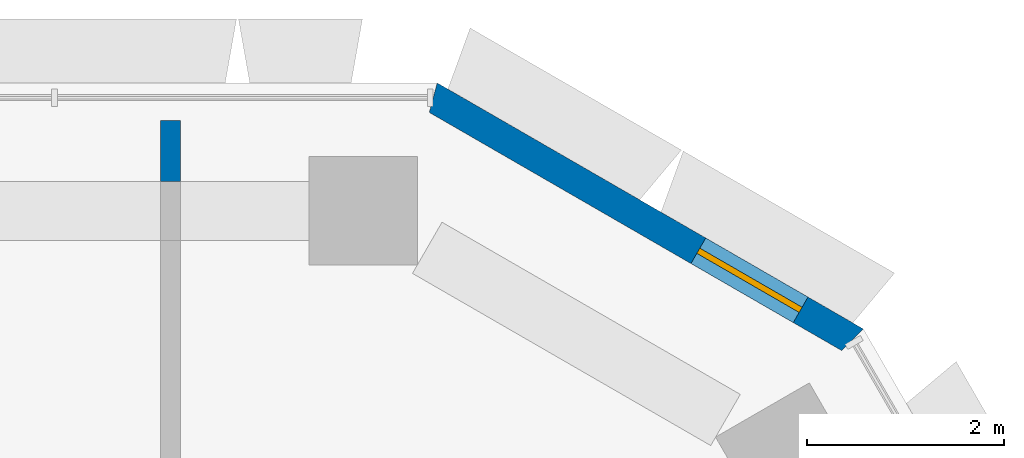
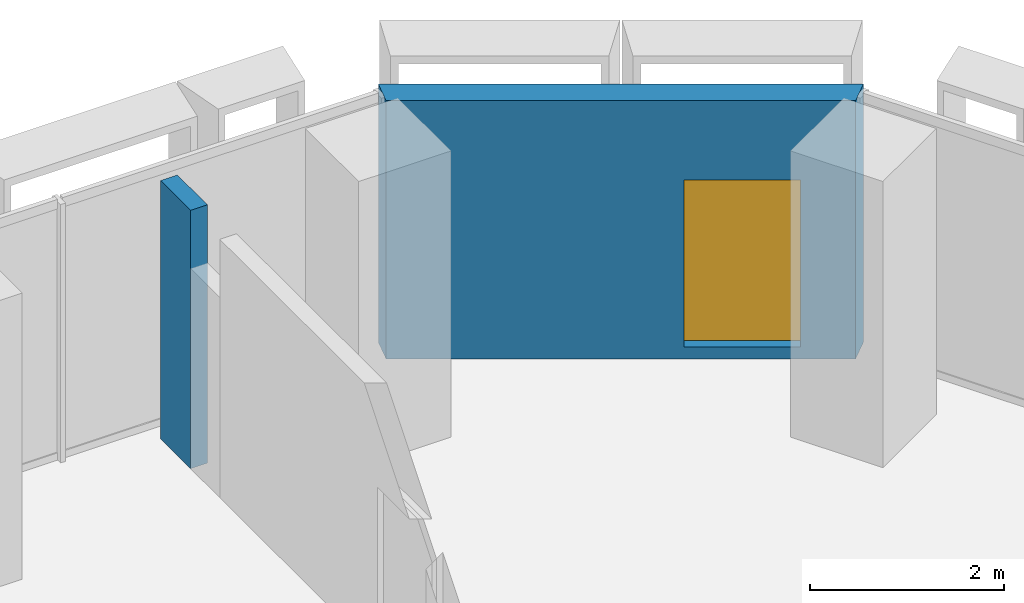
# One storey, part 14 of 22: 2 walls, 1 window, 1 opening.
"""IFC4 building model written with IfcOpenShell, lengths in metres."""

from ifc_helpers import new_model, si_unit, direction, frame, frame_2d, origin, place, context, subcontext, project, spatial, polyline, rectangle, outline, extrude, material, layer, layer_set, type_object, element, fill, save


model = new_model("IFC4")

# Units and contexts
model_context = context("Model", 3, precision=1e-05, world=origin(), true_north=direction((0.0, 1.0)))
body_context = subcontext(model_context, "Body", "Model", "MODEL_VIEW")
ifc_project = project(units=[si_unit("LENGTHUNIT", "METRE"), si_unit("AREAUNIT", "SQUARE_METRE"), si_unit("VOLUMEUNIT", "CUBIC_METRE"), si_unit("PLANEANGLEUNIT", "RADIAN"), si_unit("MASSUNIT", "GRAM", prefix="KILO")], contexts=[model_context])

# Site, building, storey
site_placement = place(None, origin())
site = spatial("IfcSite", under=ifc_project, at=site_placement, CompositionType="ELEMENT")
building_placement = place(site_placement, origin())
building = spatial("IfcBuilding", under=site, at=building_placement, Name="Beryl Residences", CompositionType="ELEMENT")
storey_placement = place(building_placement, frame((0.0, 0.0, 12.60009765625)))
storey = spatial("IfcBuildingStorey", under=building, at=storey_placement, Name="L03", CompositionType="ELEMENT", Elevation=12.60009765625)

# Wall, opening, window
ifc_material_1 = material(Name="Composite metal panel with mineral wool insulation")
ifc_layer_1 = layer(ifc_material_1, 0.300048828125)
ifc_layer_set_1 = layer_set([ifc_layer_1], Name="ES1 pale metal composite panel wall 300 mm")
wall_type_1 = type_object("IfcWallType", Name="ES1 pale metal composite panel wall 300 mm", PredefinedType="SOLIDWALL", material=ifc_layer_set_1)
wall_1_placement = place(storey_placement, frame((17.764892578125, 25.77001953125, 0.0), z_axis=(0.0, 0.0, 1.0), x_axis=(-0.866010750942, 0.50002537861, 0.0)))
wall_1 = element("IfcWall", 1, at=wall_1_placement, inside=storey, type_object=wall_type_1, Name="ES1 external wall L03 NE-N", PredefinedType="SOLIDWALL", context=body_context, shape_type="SweptSolid", body=[
    extrude(outline(polyline([(0.0, -0.14990234375), (4.999755859375, -0.14990234375), (4.91943359375, 0.14990234375), (0.080322265625, 0.14990234375), (0.0, -0.14990234375)])), origin(), (0.0, 0.0, 1.0), 3.25),
])
opening_placement = place(wall_1_placement, frame((0.64990234375, 0.0, 0.14990234375)))
opening = element("IfcOpeningElement", 2, at=opening_placement, cuts=wall_1, Name="Opening W2", PredefinedType="OPENING", context=body_context, shape_type="SweptSolid", body=[
    extrude(rectangle(XDim=1.199951171875, YDim=2.10009765625, at=frame_2d((0.60009765625, 1.050048828125))), frame((0.0, 0.159912109375, 0.0), z_axis=(0.0, -1.0, 0.0), x_axis=(1.0, 0.0, 0.0)), (0.0, 0.0, 1.0), 0.320068359375),
])
ifc_material_2 = material(Name="Aluminium and clear glass", Category="aluminium")
window_type = type_object("IfcWindowType", Name="W2 chamfer window 1200 x 2100 mm", PartitioningType="SINGLE_PANEL", PredefinedType="WINDOW", material=ifc_material_2)
window_placement = place(opening_placement, origin())
window = element("IfcWindow", 3, at=window_placement, inside=storey, type_object=window_type, Name="W2 window L03 NE-N 1", OverallHeight=2.10009765625, OverallWidth=1.199951171875, PartitioningType="SINGLE_PANEL", PredefinedType="WINDOW", context=body_context, shape_type="SweptSolid", body=[
    extrude(rectangle(XDim=1.199951171875, YDim=2.10009765625, at=frame_2d((0.60009765625, 1.050048828125))), frame((0.0, 0.030029296875, 0.0), z_axis=(0.0, -1.0, 0.0), x_axis=(1.0, 0.0, 0.0)), (0.0, 0.0, 1.0), 0.06005859375),
])
fill(opening, window)

# Wall
ifc_material_3 = material(Name="Double stud gypsum board wall")
ifc_layer_2 = layer(ifc_material_3, 0.199951171875)
ifc_layer_set_2 = layer_set([ifc_layer_2], Name="PT4 corridor wall 200 mm double stud")
wall_type_2 = type_object("IfcWallType", Name="PT4 corridor wall 200 mm double stud", PredefinedType="PARTITIONING", material=ifc_layer_set_2)
wall_2_placement = place(storey_placement, frame((10.800048828125, 27.39990234375, 0.0), z_axis=(0.0, 0.0, 1.0), x_axis=(0.0, 1.0, 0.0)))
element("IfcWall", 4, at=wall_2_placement, inside=storey, type_object=wall_type_2, Name="Wall PT4 L03 023", PredefinedType="PARTITIONING", context=body_context, shape_type="SweptSolid", body=[
    extrude(rectangle(XDim=0.6201171875, YDim=0.199951171875, at=frame_2d((0.31005859375, 0.0))), origin(), (0.0, 0.0, 1.0), 3.25),
])

save(model, "model.ifc")
